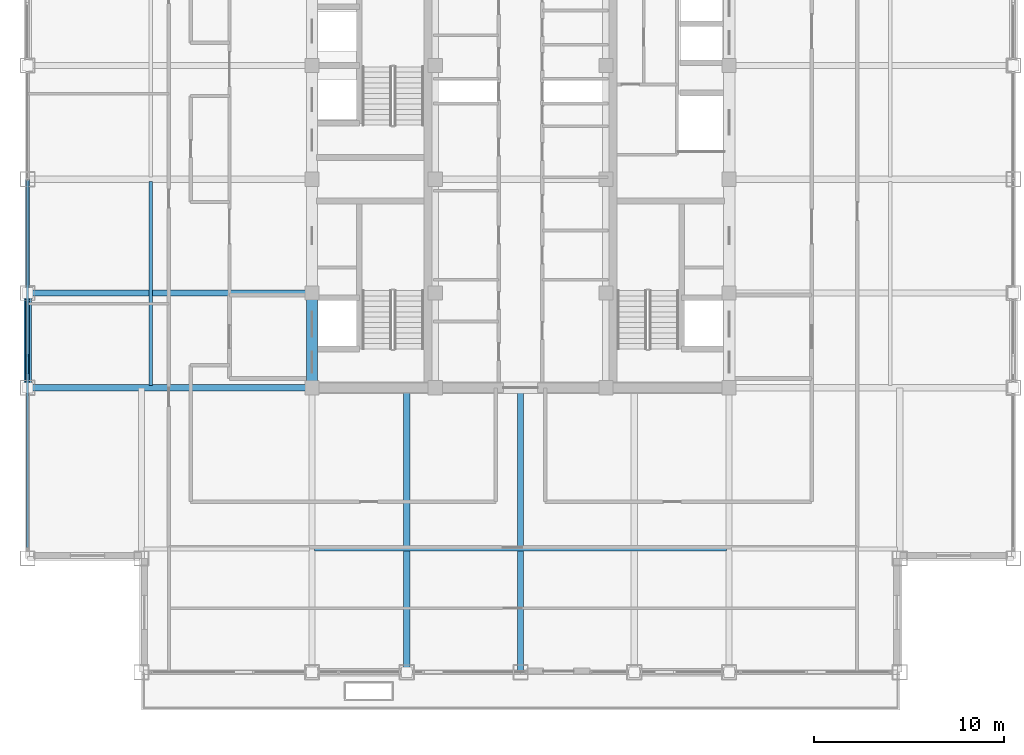
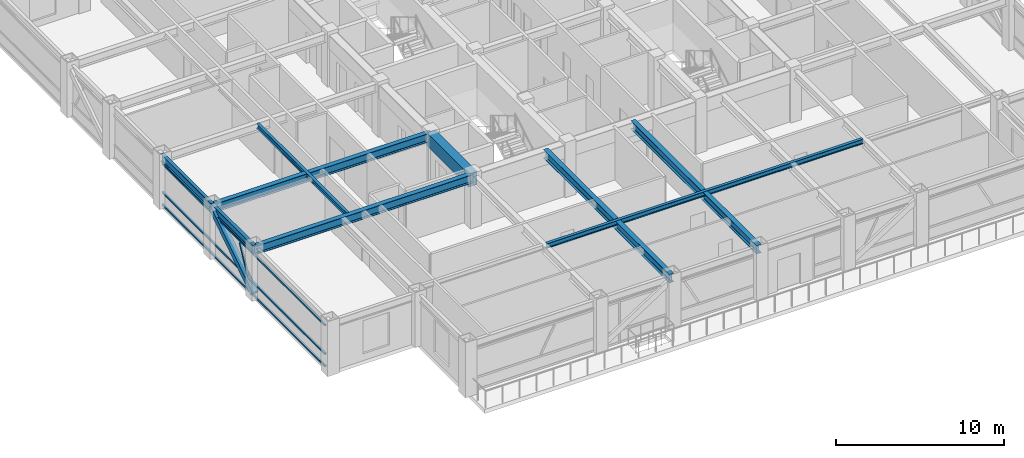
# One storey, part 6 of 30: 9 beams, 5 members, 1 element without a shape of its own.
"""IFC4 building model written with IfcOpenShell, lengths in metres."""

import ifcopenshell
import ifcopenshell.guid

model = None  # the IFC model being written
_history = None  # IfcOwnerHistory: only IFC2X3 demands one
_inside = {}  # id of a spatial element -> (the spatial element, [elements in it])
_under = {}  # id of a project, library or spatial element -> (it, [spatial elements below it])
_declared = {}  # id of a project -> (the project, [libraries it declares])
_typed = {}  # id of a type object -> (the type object, [elements of that type])
_made_of = {}  # id of a material, layer set ... -> (it, [elements and type objects made of it])


def new_model(schema):
    """Start an empty IFC model of exactly this schema.

    Asked for "IFC4X3", IfcOpenShell would pick the latest addendum, in which some entities
    have other attributes; the version numbers below select the first issue.
    IFC2X3 requires an IfcOwnerHistory on every rooted entity: one is made here for all.
    """
    global model, _history
    if schema == "IFC4X3":
        model = ifcopenshell.file(schema_version=(4, 3, 0, 0))
    else:
        model = ifcopenshell.file(schema=schema)
    _inside.clear()
    _under.clear()
    _declared.clear()
    _typed.clear()
    _made_of.clear()
    _history = None
    if model.schema == "IFC2X3":
        org = make("IfcOrganization", Name="unknown")
        user = make(
            "IfcPersonAndOrganization",
            ThePerson=make("IfcPerson", FamilyName="unknown"),
            TheOrganization=org,
        )
        app = make(
            "IfcApplication",
            ApplicationDeveloper=org,
            Version="unknown",
            ApplicationFullName="unknown",
            ApplicationIdentifier="unknown",
        )
        _history = make(
            "IfcOwnerHistory",
            OwningUser=user,
            OwningApplication=app,
            ChangeAction="ADDED",
            CreationDate=0,
        )
    return model


def make(cls, **values):
    """One entity of the class cls with the attributes given. An attribute that is None is left unset."""
    return model.create_entity(
        cls, **{name: value for name, value in values.items() if value is not None}
    )


def rooted(cls, **values):
    """An entity with a GlobalId (a new one), such as an element, a storey or a relation."""
    return make(cls, GlobalId=ifcopenshell.guid.new(), OwnerHistory=_history, **values)


def si_unit(unit_type, name, prefix=None):
    """IfcSIUnit, for example si_unit("LENGTHUNIT", "METRE", prefix="MILLI")."""
    return make("IfcSIUnit", UnitType=unit_type, Prefix=prefix, Name=name)


def assignment(units):
    """IfcUnitAssignment: the units of a project."""
    return None if units is None else make("IfcUnitAssignment", Units=units)


def point(xyz):
    """IfcCartesianPoint."""
    return None if xyz is None else make("IfcCartesianPoint", Coordinates=xyz)


def direction(xyz):
    """IfcDirection."""
    return None if xyz is None else make("IfcDirection", DirectionRatios=xyz)


def frame(location, z_axis=None, x_axis=None):
    """IfcAxis2Placement3D, a coordinate frame: its origin and axes. An axis left out is left unset."""
    return make(
        "IfcAxis2Placement3D",
        Location=point(location),
        Axis=direction(z_axis),
        RefDirection=direction(x_axis),
    )


def frame_2d(location, x_axis=None):
    """IfcAxis2Placement2D, a coordinate frame in the plane: its origin and x axis."""
    return make(
        "IfcAxis2Placement2D", Location=point(location), RefDirection=direction(x_axis)
    )


def origin():
    """The frame at (0, 0, 0) with its axes left unset."""
    return frame((0.0, 0.0, 0.0))


def origin_2d():
    """The frame at (0, 0) in the plane with its x axis left unset."""
    return frame_2d((0.0, 0.0))


def place(relative_to, where):
    """IfcLocalPlacement: puts the frame where relative to a parent placement (None: the world)."""
    return make(
        "IfcLocalPlacement", PlacementRelTo=relative_to, RelativePlacement=where
    )


def context(
    kind, dimensions, precision=None, world=None, true_north=None, identifier=None
):
    """IfcGeometricRepresentationContext, for example the 3D "Model" context."""
    return make(
        "IfcGeometricRepresentationContext",
        ContextIdentifier=identifier,
        ContextType=kind,
        CoordinateSpaceDimension=dimensions,
        Precision=precision,
        WorldCoordinateSystem=world,
        TrueNorth=true_north,
    )


def subcontext(parent, identifier, kind, view, scale=None):
    """IfcGeometricRepresentationSubContext, for example "Body" below "Model"."""
    return make(
        "IfcGeometricRepresentationSubContext",
        ContextIdentifier=identifier,
        ContextType=kind,
        ParentContext=parent,
        TargetScale=scale,
        TargetView=view,
    )


def project(units=None, contexts=None):
    """IfcProject with its units and contexts."""
    return rooted(
        "IfcProject",
        Name="project",
        RepresentationContexts=contexts,
        UnitsInContext=assignment(units),
    )


def spatial(cls, under=None, at=None, **own):
    """A site, building, storey or space (cls), placed at a placement, below another one or the project."""
    s = rooted(cls, ObjectPlacement=at, **own)
    if under is not None:
        _under.setdefault(under.id(), (under, []))[1].append(s)
    return s


def profile(cls, at=None, kind="AREA", **sizes):
    """A parametric profile (cls). Its sizes go by their IFC names, for example OverallWidth=200.0."""
    return make(cls, ProfileType=kind, Position=at, **sizes)


def rectangle(**sizes):
    """IfcRectangleProfileDef."""
    return profile("IfcRectangleProfileDef", **sizes)


def hollow_rectangle(**sizes):
    """IfcRectangleHollowProfileDef."""
    return profile("IfcRectangleHollowProfileDef", **sizes)


def i_section(**sizes):
    """IfcIShapeProfileDef."""
    return profile("IfcIShapeProfileDef", **sizes)


def extrude(swept, where, along, depth):
    """IfcExtrudedAreaSolid: the profile swept, set in the frame where, extruded along a direction by depth."""
    return make(
        "IfcExtrudedAreaSolid",
        SweptArea=swept,
        Position=where,
        ExtrudedDirection=direction(along),
        Depth=depth,
    )


def shape(context_of_items, identifier, shape_type, items):
    """IfcShapeRepresentation: the items that make up one representation, for example the "Body"."""
    return make(
        "IfcShapeRepresentation",
        ContextOfItems=context_of_items,
        RepresentationIdentifier=identifier,
        RepresentationType=shape_type,
        Items=items,
    )


def source(mapping_origin, context_of_items, identifier, shape_type, items):
    """IfcRepresentationMap: a shape defined once, which mapped items show again and again."""
    return make(
        "IfcRepresentationMap",
        MappingOrigin=mapping_origin,
        MappedRepresentation=shape(context_of_items, identifier, shape_type, items),
    )


def transform(
    local_origin,
    x_axis=None,
    y_axis=None,
    z_axis=None,
    scale=None,
    scale2=None,
    scale3=None,
    uniform=True,
):
    """IfcCartesianTransformationOperator3D, or its non-uniform kind. x_axis, y_axis, z_axis: its Axis1, 2, 3."""
    if uniform:
        return make(
            "IfcCartesianTransformationOperator3D",
            Axis1=direction(x_axis),
            Axis2=direction(y_axis),
            LocalOrigin=point(local_origin),
            Scale=scale,
            Axis3=direction(z_axis),
        )
    return make(
        "IfcCartesianTransformationOperator3DnonUniform",
        Axis1=direction(x_axis),
        Axis2=direction(y_axis),
        LocalOrigin=point(local_origin),
        Scale=scale,
        Axis3=direction(z_axis),
        Scale2=scale2,
        Scale3=scale3,
    )


def mapped(mapping_source, mapping_target):
    """IfcMappedItem: shows the shape of a source again, moved by a transform."""
    return make(
        "IfcMappedItem", MappingSource=mapping_source, MappingTarget=mapping_target
    )


def material(Name=None, Category=None):
    """IfcMaterial."""
    return make("IfcMaterial", Name=Name, Category=Category)


def material_profile(
    of_material, cross_section, Name=None, Category=None, Priority=None
):
    """IfcMaterialProfile: a cross section and its material."""
    return make(
        "IfcMaterialProfile",
        Name=Name,
        Material=of_material,
        Profile=cross_section,
        Priority=Priority,
        Category=Category,
    )


def profile_set(profiles, Name=None, composite=None):
    """IfcMaterialProfileSet."""
    return make(
        "IfcMaterialProfileSet",
        Name=Name,
        MaterialProfiles=profiles,
        CompositeProfile=composite,
    )


def made_of(thing, what):
    """Note that an element or type object is made of a material, layer set ...; save() writes the relation."""
    if what is not None:
        _made_of.setdefault(what.id(), (what, []))[1].append(thing)
    return thing


def type_object(cls, material=None, **own):
    """A type object (cls), such as IfcWallType, which elements share."""
    return made_of(rooted(cls, **own), material)


def element(
    cls,
    number,
    at=None,
    inside=None,
    cuts=None,
    type_object=None,
    material=None,
    context=None,
    identifier="Body",
    shape_type=None,
    held_by="IfcProductDefinitionShape",
    body=None,
    shapes=None,
    **own,
):
    """One element of the class cls, such as IfcWall. Its Tag is "e" and its number.

    at: its placement. inside: the storey or other place that contains it. cuts: it is an
    opening in that element (IfcRelVoidsElement). A single representation is given by context,
    identifier, shape_type and body (its items); several are given by shapes. held_by: the class
    of the entity that holds the representations. save() writes the other relations.
    """
    e = rooted(cls, Tag="e%d" % number, ObjectPlacement=at, **own)
    if body is not None:
        shapes = [shape(context, identifier, shape_type, body)]
    if shapes is not None:
        e.Representation = make(held_by, Representations=shapes)
    if inside is not None:
        _inside.setdefault(inside.id(), (inside, []))[1].append(e)
    if cuts is not None:
        rooted(
            "IfcRelVoidsElement", RelatingBuildingElement=cuts, RelatedOpeningElement=e
        )
    if type_object is not None:
        _typed.setdefault(type_object.id(), (type_object, []))[1].append(e)
    return made_of(e, material)


def aggregate(whole, parts):
    """IfcRelAggregates: a whole, such as a stair, and the parts it consists of."""
    return rooted("IfcRelAggregates", RelatingObject=whole, RelatedObjects=parts)


def save(model, path):
    """Write the relations noted so far, then the file.

    IfcRelAggregates (storeys below a building ...), IfcRelContainedInSpatialStructure (elements
    in a storey), IfcRelDefinesByType, IfcRelAssociatesMaterial and IfcRelDeclares: one each for
    every whole, place, type object, material and project.
    """
    for whole, parts in _under.values():
        aggregate(whole, parts)
    for where, things in _inside.values():
        rooted(
            "IfcRelContainedInSpatialStructure",
            RelatedElements=things,
            RelatingStructure=where,
        )
    for kind, things in _typed.values():
        rooted("IfcRelDefinesByType", RelatedObjects=things, RelatingType=kind)
    for what, things in _made_of.values():
        rooted("IfcRelAssociatesMaterial", RelatedObjects=things, RelatingMaterial=what)
    for by, libraries in _declared.values():
        rooted("IfcRelDeclares", RelatingContext=by, RelatedDefinitions=libraries)
    model.write(path)


model = new_model("IFC4")

# Units and contexts
model_context = context("Model", 3, precision=1e-05, world=origin(), true_north=direction((0.0, 1.0)))
body_context = subcontext(model_context, "Body", "Model", "MODEL_VIEW")
ifc_project = project(units=[si_unit("LENGTHUNIT", "METRE"), si_unit("AREAUNIT", "SQUARE_METRE"), si_unit("VOLUMEUNIT", "CUBIC_METRE"), si_unit("PLANEANGLEUNIT", "RADIAN"), si_unit("MASSUNIT", "GRAM", prefix="KILO")], contexts=[model_context])

# Site, building, storey
site_placement = place(None, origin())
site = spatial("IfcSite", under=ifc_project, at=site_placement, CompositionType="ELEMENT")
building_placement = place(site_placement, origin())
building = spatial("IfcBuilding", under=site, at=building_placement, Name="Khorayat Bourse Tower", CompositionType="ELEMENT")
storey_placement = place(building_placement, frame((0.0, 0.0, 326.300048828125)))
storey = spatial("IfcBuildingStorey", under=building, at=storey_placement, Name="L77", CompositionType="ELEMENT", Elevation=326.300048828125)

# Beams
ifc_material_1 = material(Name="Concrete C60/75", Category="concrete")
ifc_material_profile_1 = material_profile(ifc_material_1, rectangle(XDim=0.60009765625, YDim=0.949951171875, at=origin_2d()), Name="RC 600x950")
ifc_profile_set_1 = profile_set([ifc_material_profile_1], Name="Concrete C60/75")
beam_type_1 = type_object("IfcBeamType", Name="BM-COUP-950", PredefinedType="BEAM", material=ifc_profile_set_1)
shared_shape_1 = source(origin(), body_context, "Body", "SweptSolid", [
    extrude(rectangle(XDim=0.60009765625, YDim=0.949951171875, at=origin_2d()), origin(), (0.0, 0.0, 1.0), 5.0),
])
beam_1_placement = place(storey_placement, frame((-11.0, -11.0, 3.264892578125), z_axis=(0.0, 1.0, 0.0), x_axis=(-1.0, 0.0, 0.0)))
element("IfcBeam", 1, at=beam_1_placement, inside=storey, type_object=beam_type_1, Name="L77 BM-COUP-950 BM-L77-CRX-01", PredefinedType="BEAM", context=body_context, shape_type="MappedRepresentation", body=[
    mapped(shared_shape_1, transform((0.0, 0.0, 0.0), scale=1.0)),
])
ifc_material_2 = material(Name="Steel ASTM A992 Grade 50", Category="steel")
ifc_material_profile_2 = material_profile(ifc_material_2, i_section(OverallWidth=0.202880859375, OverallDepth=0.346923828125, WebThickness=0.0078125, FlangeThickness=0.013427734375, FilletRadius=0.010009765625, at=origin_2d()), Name="W360X64")
ifc_profile_set_2 = profile_set([ifc_material_profile_2], Name="Steel ASTM A992 Grade 50")
beam_type_2 = type_object("IfcBeamType", Name="BM-JOIST-360", PredefinedType="JOIST", material=ifc_profile_set_2)
shared_shape_2 = source(origin(), body_context, "Body", "SweptSolid", [
    extrude(i_section(OverallWidth=0.202880859375, OverallDepth=0.346923828125, WebThickness=0.0078125, FlangeThickness=0.013427734375, FilletRadius=0.010009765625, at=origin_2d()), origin(), (0.0, 0.0, 1.0), 21.740234375),
])
beam_2_placement = place(storey_placement, frame((-10.8701171875, -19.5, 3.56640625), z_axis=(1.0, 0.0, 0.0), x_axis=(0.0, 1.0, 0.0)))
element("IfcBeam", 2, at=beam_2_placement, inside=storey, type_object=beam_type_2, Name="L77 BM-JOIST-360 BM-L77-JSTX-081", PredefinedType="JOIST", context=body_context, shape_type="MappedRepresentation", body=[
    mapped(shared_shape_2, transform((0.0, 0.0, 0.0), scale=1.0)),
])
shared_shape_3 = source(origin(), body_context, "Body", "SweptSolid", [
    extrude(i_section(OverallWidth=0.202880859375, OverallDepth=0.346923828125, WebThickness=0.0078125, FlangeThickness=0.013427734375, FilletRadius=0.010009765625, at=origin_2d()), origin(), (0.0, 0.0, 1.0), 10.740234375),
])
beam_3_placement = place(storey_placement, frame((-19.5, -10.8701171875, 3.56640625), z_axis=(0.0, 1.0, 0.0), x_axis=(-1.0, 0.0, 0.0)))
element("IfcBeam", 3, at=beam_3_placement, inside=storey, type_object=beam_type_2, Name="L77 BM-JOIST-360 BM-L77-JSTY-086", PredefinedType="JOIST", context=body_context, shape_type="MappedRepresentation", body=[
    mapped(shared_shape_3, transform((0.0, 0.0, 0.0), scale=1.0)),
])
ifc_material_profile_3 = material_profile(ifc_material_2, i_section(OverallWidth=0.214111328125, OverallDepth=0.549072265625, WebThickness=0.0146484375, FlangeThickness=0.023681640625, FilletRadius=0.013916015625, at=origin_2d()), Name="W530X138")
ifc_profile_set_3 = profile_set([ifc_material_profile_3], Name="Steel ASTM A992 Grade 50")
beam_type_3 = type_object("IfcBeamType", Name="BM-SPAN-530", PredefinedType="SPANDREL", material=ifc_profile_set_3)
shared_shape_4 = source(origin(), body_context, "Body", "SweptSolid", [
    extrude(i_section(OverallWidth=0.214111328125, OverallDepth=0.549072265625, WebThickness=0.0146484375, FlangeThickness=0.023681640625, FilletRadius=0.013916015625, at=origin_2d()), origin(), (0.0, 0.0, 1.0), 5.0),
])
beam_4_placement = place(storey_placement, frame((-26.0, -11.0, 3.46533203125), z_axis=(0.0, 1.0, 0.0), x_axis=(-1.0, 0.0, 0.0)))
element("IfcBeam", 4, at=beam_4_placement, inside=storey, type_object=beam_type_3, Name="L77 BM-SPAN-530 BM-L77-SPN-052", PredefinedType="SPANDREL", context=body_context, shape_type="MappedRepresentation", body=[
    mapped(shared_shape_4, transform((0.0, 0.0, 0.0), scale=1.0)),
])
shared_shape_5 = source(origin(), body_context, "Body", "SweptSolid", [
    extrude(i_section(OverallWidth=0.214111328125, OverallDepth=0.549072265625, WebThickness=0.0146484375, FlangeThickness=0.023681640625, FilletRadius=0.013916015625, at=origin_2d()), origin(), (0.0, 0.0, 1.0), 6.0),
])
beam_5_placement = place(storey_placement, frame((-26.0, -6.0, 3.46533203125), z_axis=(0.0, 1.0, 0.0), x_axis=(-1.0, 0.0, 0.0)))
element("IfcBeam", 5, at=beam_5_placement, inside=storey, type_object=beam_type_3, Name="L77 BM-SPAN-530 BM-L77-SPN-051", PredefinedType="SPANDREL", context=body_context, shape_type="MappedRepresentation", body=[
    mapped(shared_shape_5, transform((0.0, 0.0, 0.0), scale=1.0)),
])
ifc_material_profile_4 = material_profile(ifc_material_2, i_section(OverallWidth=0.324951171875, OverallDepth=0.615966796875, WebThickness=0.013916015625, FlangeThickness=0.021484375, FilletRadius=0.01611328125, at=origin_2d()), Name="W610X174")
ifc_profile_set_4 = profile_set([ifc_material_profile_4], Name="Steel ASTM A992 Grade 50")
beam_type_4 = type_object("IfcBeamType", Name="BM-GIRD-610", PredefinedType="BEAM", material=ifc_profile_set_4)
shared_shape_6 = source(origin(), body_context, "Body", "SweptSolid", [
    extrude(i_section(OverallWidth=0.324951171875, OverallDepth=0.615966796875, WebThickness=0.013916015625, FlangeThickness=0.021484375, FilletRadius=0.01611328125, at=origin_2d()), origin(), (0.0, 0.0, 1.0), 15.0),
])
for number, where, z_axis, x_axis, name in (
    (6, (-6.0, -26.0, 3.431884765625), (0.0, 1.0, 0.0), (-1.0, 0.0, 0.0), "L77 BM-GIRD-610 BM-L77-RADY-059"),
    (7, (0.0, -26.0, 3.431884765625), (0.0, 1.0, 0.0), (-1.0, 0.0, 0.0), "L77 BM-GIRD-610 BM-L77-RADY-061"),
    (8, (-26.0, -11.0, 3.431884765625), (1.0, 0.0, 0.0), (0.0, 1.0, 0.0), "L77 BM-GIRD-610 BM-L77-RADX-067"),
    (9, (-26.0, -6.0, 3.431884765625), (1.0, 0.0, 0.0), (0.0, 1.0, 0.0), "L77 BM-GIRD-610 BM-L77-RADX-069"),
):
    element("IfcBeam", number, at=place(storey_placement, frame(where, z_axis=z_axis, x_axis=x_axis)), inside=storey, type_object=beam_type_4, Name=name, PredefinedType="BEAM", context=body_context, shape_type="MappedRepresentation", body=[
        mapped(shared_shape_6, transform((0.0, 0.0, 0.0), scale=1.0)),
    ])

# Member
ifc_material_3 = material(Name="Steel EN 10025-4 S460M", Category="steel")
ifc_material_profile_5 = material_profile(ifc_material_3, hollow_rectangle(XDim=0.39990234375, YDim=0.39990234375, WallThickness=0.02197265625, at=origin_2d()), Name="HSS 400x400x22")
ifc_profile_set_5 = profile_set([ifc_material_profile_5], Name="Steel EN 10025-4 S460M")
member_type_1 = type_object("IfcMemberType", Name="MBR-TUBE-400", PredefinedType="BRACE", material=ifc_profile_set_5)
shared_shape_7 = source(origin(), body_context, "Body", "SweptSolid", [
    extrude(hollow_rectangle(XDim=0.39990234375, YDim=0.39990234375, WallThickness=0.02197265625, at=origin_2d()), origin(), (0.0, 0.0, 1.0), 5.9580078125),
])
member_1_placement = place(storey_placement, frame((-26.0, -11.0, 0.25), z_axis=(0.0, 0.839210474455, 0.543806748364), x_axis=(-1.0, 0.0, 0.0)))
element("IfcMember", 10, at=member_1_placement, inside=storey, type_object=member_type_1, Name="L77 Perimeter Tube Brace 05", PredefinedType="BRACE", context=body_context, shape_type="MappedRepresentation", body=[
    mapped(shared_shape_7, transform((0.0, 0.0, 0.0), scale=1.0)),
])

# Curtain wall, members
ifc_material_4 = material(Name="Aluminium EN AW-6063 T6", Category="aluminium")
curtain_wall_type = type_object("IfcCurtainWallType", Name="CW-SYS-04", PredefinedType="NOTDEFINED", material=ifc_material_4)
curtain_wall_placement = place(storey_placement, origin())
curtain_wall = element("IfcCurtainWall", 11, at=curtain_wall_placement, inside=storey, type_object=curtain_wall_type, Name="L77 Curtain Wall CW-L77-W1", PredefinedType="NOTDEFINED")
ifc_material_profile_6 = material_profile(ifc_material_4, hollow_rectangle(XDim=0.1201171875, YDim=0.1201171875, WallThickness=0.0048828125, at=origin_2d()), Name="ALU 120x120x5")
ifc_profile_set_6 = profile_set([ifc_material_profile_6], Name="Aluminium EN AW-6063 T6")
member_type_2 = type_object("IfcMemberType", Name="CWM-DIAG-120", PredefinedType="MULLION", material=ifc_profile_set_6)
shared_shape_8 = source(origin(), body_context, "Body", "SweptSolid", [
    extrude(hollow_rectangle(XDim=0.1201171875, YDim=0.1201171875, WallThickness=0.0048828125, at=origin_2d()), origin(), (0.0, 0.0, 1.0), 2.0341796875),
])
member_2_placement = place(storey_placement, frame((-26.0, -10.21875, 1.08984375), z_axis=(0.0, 0.465790950955, 0.884894790361), x_axis=(-1.0, 0.0, 0.0)))
member_2 = element("IfcMember", 12, at=member_2_placement, type_object=member_type_2, Name="CW-L77-W1 Faceted Diagonal Mullion 1", PredefinedType="MULLION", context=body_context, shape_type="MappedRepresentation", body=[
    mapped(shared_shape_8, transform((0.0, 0.0, 0.0), scale=1.0)),
])
ifc_material_profile_7 = material_profile(ifc_material_4, hollow_rectangle(XDim=0.1201171875, YDim=0.1201171875, WallThickness=0.0048828125, at=origin_2d()), Name="ALU 120x120x5")
ifc_profile_set_7 = profile_set([ifc_material_profile_7], Name="Aluminium EN AW-6063 T6")
member_type_3 = type_object("IfcMemberType", Name="CWT-HORZ-120", PredefinedType="USERDEFINED", material=ifc_profile_set_7)
shared_shape_9 = source(origin(), body_context, "Body", "SweptSolid", [
    extrude(hollow_rectangle(XDim=0.1201171875, YDim=0.1201171875, WallThickness=0.0048828125, at=origin_2d()), origin(), (0.0, 0.0, 1.0), 19.369873046875),
])
member_3_placement = place(storey_placement, frame((-26.0, -19.429931640625, 0.06005859375), z_axis=(0.0, 1.0, 0.0), x_axis=(-1.0, 0.0, 0.0)))
member_3 = element("IfcMember", 13, at=member_3_placement, type_object=member_type_3, Name="CW-L77-W1 Horizontal Transom 1-1", ObjectType="TRANSOM", PredefinedType="USERDEFINED", context=body_context, shape_type="MappedRepresentation", body=[
    mapped(shared_shape_9, transform((0.0, 0.0, 0.0), scale=1.0)),
])
member_4_placement = place(storey_placement, frame((-26.0, -19.429931640625, 0.949951171875), z_axis=(0.0, 1.0, 0.0), x_axis=(-1.0, 0.0, 0.0)))
member_4 = element("IfcMember", 14, at=member_4_placement, type_object=member_type_3, Name="CW-L77-W1 Horizontal Transom 1-2", ObjectType="TRANSOM", PredefinedType="USERDEFINED", context=body_context, shape_type="MappedRepresentation", body=[
    mapped(shared_shape_9, transform((0.0, 0.0, 0.0), scale=1.0)),
])
member_5_placement = place(storey_placement, frame((-26.0, -19.429931640625, 3.030029296875), z_axis=(0.0, 1.0, 0.0), x_axis=(-1.0, 0.0, 0.0)))
member_5 = element("IfcMember", 15, at=member_5_placement, type_object=member_type_3, Name="CW-L77-W1 Horizontal Transom 1-3", ObjectType="TRANSOM", PredefinedType="USERDEFINED", context=body_context, shape_type="MappedRepresentation", body=[
    mapped(shared_shape_9, transform((0.0, 0.0, 0.0), scale=1.0)),
])
aggregate(curtain_wall, [member_3, member_4, member_5, member_2])

save(model, "model.ifc")
